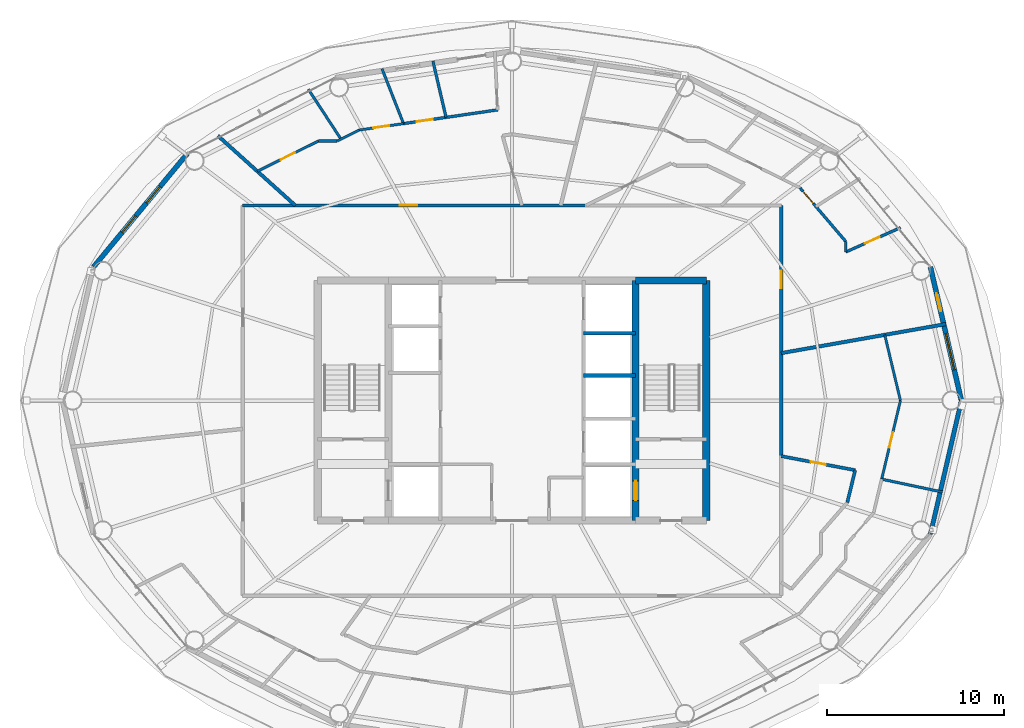
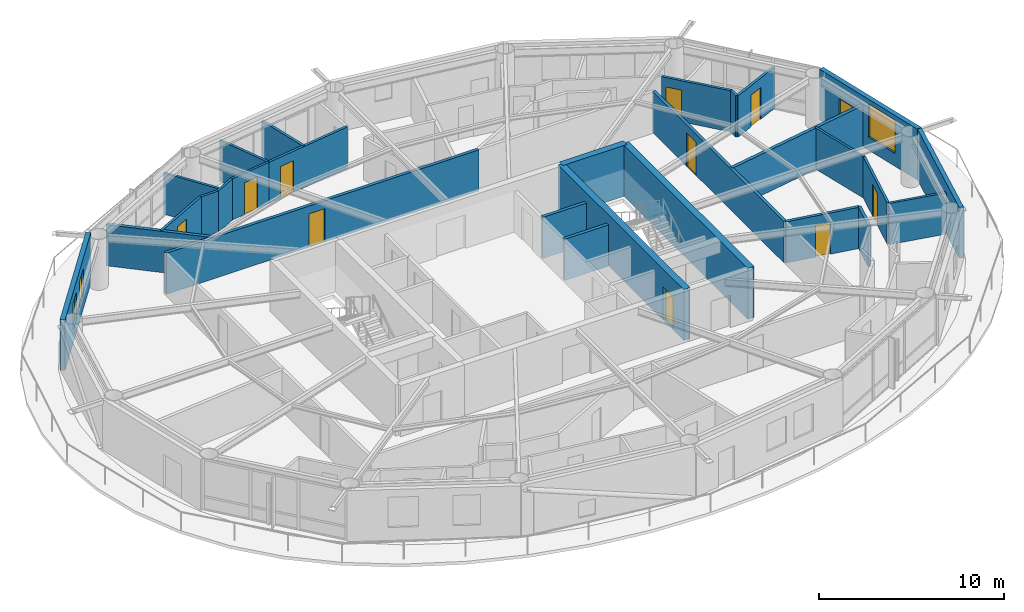
# One storey, part 18 of 23: 28 walls, 11 doors, 3 windows, 14 openings.
"""IFC4 building model written with IfcOpenShell, lengths in metres."""

from ifc_helpers import new_model, si_unit, direction, frame, frame_2d, origin, place, context, subcontext, project, spatial, rectangle, extrude, material, layer, layer_set, type_object, element, fill, save


model = new_model("IFC4")

# Units and contexts
model_context = context("Model", 3, precision=1e-05, world=origin(), true_north=direction((0.0, 1.0)))
body_context = subcontext(model_context, "Body", "Model", "MODEL_VIEW")
ifc_project = project(units=[si_unit("LENGTHUNIT", "METRE"), si_unit("AREAUNIT", "SQUARE_METRE"), si_unit("VOLUMEUNIT", "CUBIC_METRE"), si_unit("PLANEANGLEUNIT", "RADIAN"), si_unit("MASSUNIT", "GRAM", prefix="KILO")], contexts=[model_context])

# Site, building, storey
site_placement = place(None, origin())
site = spatial("IfcSite", under=ifc_project, at=site_placement, CompositionType="ELEMENT")
building_placement = place(site_placement, origin())
building = spatial("IfcBuilding", under=site, at=building_placement, Name="Sarneth Arch Tower", CompositionType="ELEMENT")
storey_placement = place(building_placement, frame((0.0, 0.0, 246.0)))
storey = spatial("IfcBuildingStorey", under=building, at=storey_placement, Name="L63", CompositionType="ELEMENT", Elevation=246.0)

# Walls
ifc_material_1 = material(Name="Concrete C50/60", Category="concrete")
ifc_layer_1 = layer(ifc_material_1, 0.39990234375)
ifc_layer_set_1 = layer_set([ifc_layer_1], Name="Concrete C50/60")
wall_type_1 = type_object("IfcWallType", Name="WALL-CORE-400", PredefinedType="SHEAR", material=ifc_layer_set_1)
wall_1_placement = place(storey_placement, frame((55.0, 48.800048828125, 0.0), z_axis=(0.0, 0.0, 1.0), x_axis=(1.0, 0.0, 0.0)))
element("IfcWall", 1, at=wall_1_placement, inside=storey, type_object=wall_type_1, Name="L63 Core shear wall N-E", PredefinedType="SHEAR", context=body_context, shape_type="SweptSolid", body=[
    extrude(rectangle(XDim=4.0, YDim=0.39990234375, at=frame_2d((2.0, 0.0))), origin(), (0.0, 0.0, 1.0), 3.360107421875),
])
wall_2_placement = place(storey_placement, frame((59.0, 35.199951171875, 0.0), z_axis=(0.0, 0.0, 1.0), x_axis=(0.0, 1.0, 0.0)))
element("IfcWall", 2, at=wall_2_placement, inside=storey, type_object=wall_type_1, Name="L63 Core shear wall E", PredefinedType="SHEAR", context=body_context, shape_type="SweptSolid", body=[
    extrude(rectangle(XDim=13.60009765625, YDim=0.39990234375, at=frame_2d((6.800048828125, 0.0))), origin(), (0.0, 0.0, 1.0), 3.360107421875),
])

# Wall, opening, door
wall_3_placement = place(storey_placement, frame((55.0, 35.199951171875, 0.0), z_axis=(0.0, 0.0, 1.0), x_axis=(0.0, 1.0, 0.0)))
wall_3 = element("IfcWall", 3, at=wall_3_placement, inside=storey, type_object=wall_type_1, Name="L63 Core shear wall WEB-E", PredefinedType="SHEAR", context=body_context, shape_type="SweptSolid", body=[
    extrude(rectangle(XDim=13.60009765625, YDim=0.39990234375, at=frame_2d((6.800048828125, 0.0))), origin(), (0.0, 0.0, 1.0), 3.360107421875),
])
opening_1_placement = place(wall_3_placement, frame((1.14990234375, 0.0, 0.0)))
opening_1 = element("IfcOpeningElement", 4, at=opening_1_placement, cuts=wall_3, Name="Opening LD-1", PredefinedType="OPENING", context=body_context, shape_type="SweptSolid", body=[
    extrude(rectangle(XDim=1.10009765625, YDim=2.199951171875, at=frame_2d((0.550048828125, 1.10009765625))), frame((0.0, 0.2099609375, 0.0), z_axis=(0.0, -1.0, 0.0), x_axis=(1.0, 0.0, 0.0)), (0.0, 0.0, 1.0), 0.419921875),
])
ifc_material_2 = material(Name="Brushed Stainless Steel 304 lift landing door", Category="steel")
door_type_1 = type_object("IfcDoorType", Name="DR-LIFT-SLIDE-1100", OperationType="SLIDING_TO_LEFT", PredefinedType="DOOR", material=ifc_material_2)
door_1_placement = place(opening_1_placement, origin())
door_1 = element("IfcDoor", 5, at=door_1_placement, inside=storey, type_object=door_type_1, Name="L63 Firefighting lift landing door FL-2", OperationType="SLIDING_TO_RIGHT", OverallHeight=2.199951171875, OverallWidth=1.10009765625, PredefinedType="DOOR", context=body_context, shape_type="SweptSolid", body=[
    extrude(rectangle(XDim=1.10009765625, YDim=2.199951171875, at=frame_2d((0.550048828125, 1.10009765625))), frame((0.0, 0.02490234375, 0.0), z_axis=(0.0, -1.0, 0.0), x_axis=(1.0, 0.0, 0.0)), (0.0, 0.0, 1.0), 0.050048828125),
])
fill(opening_1, door_1)

ifc_material_3 = material(Name="Double steel-stud corridor fire wall", Category="steel")
ifc_layer_2 = layer(ifc_material_3, 0.18994140625)
ifc_layer_set_2 = layer_set([ifc_layer_2], Name="Double steel-stud corridor fire wall")
wall_type_2 = type_object("IfcWallType", Name="WALL-CORR-190", PredefinedType="PARTITIONING", material=ifc_layer_set_2)
wall_4_placement = place(storey_placement, frame((32.75, 53.050048828125, 0.0), z_axis=(0.0, 0.0, 1.0), x_axis=(1.0, 0.0, 0.0)))
wall_4 = element("IfcWall", 6, at=wall_4_placement, inside=storey, type_object=wall_type_2, Name="L63 Interior partition W-L63-TP-005", PredefinedType="PARTITIONING", context=body_context, shape_type="SweptSolid", body=[
    extrude(rectangle(XDim=19.526611328125, YDim=0.18994140625, at=frame_2d((9.76318359375, 0.0))), origin(), (0.0, 0.0, 1.0), 2.719970703125),
])
opening_2_placement = place(wall_4_placement, frame((8.885986328125, 0.0, 0.0)))
opening_2 = element("IfcOpeningElement", 7, at=opening_2_placement, cuts=wall_4, Name="Opening FD-08", PredefinedType="OPENING", context=body_context, shape_type="SweptSolid", body=[
    extrude(rectangle(XDim=1.0, YDim=2.199951171875, at=frame_2d((0.5, 1.10009765625))), frame((0.0, 0.10498046875, 0.0), z_axis=(0.0, -1.0, 0.0), x_axis=(1.0, 0.0, 0.0)), (0.0, 0.0, 1.0), 0.2099609375),
])
ifc_material_4 = material(Name="Hardwood timber acoustic fire door", Category="wood")
door_type_2 = type_object("IfcDoorType", Name="DR-FD60-1000", OperationType="SINGLE_SWING_LEFT", PredefinedType="DOOR", material=ifc_material_4)
door_2_placement = place(opening_2_placement, origin())
door_2 = element("IfcDoor", 8, at=door_2_placement, inside=storey, type_object=door_type_2, Name="L63 Interior door DR-L63-U2-ENT", OperationType="SINGLE_SWING_LEFT", OverallHeight=2.199951171875, OverallWidth=1.0, PredefinedType="DOOR", context=body_context, shape_type="SweptSolid", body=[
    extrude(rectangle(XDim=1.0, YDim=2.199951171875, at=frame_2d((0.5, 1.10009765625))), frame((0.0, 0.02490234375, 0.0), z_axis=(0.0, -1.0, 0.0), x_axis=(1.0, 0.0, 0.0)), (0.0, 0.0, 1.0), 0.050048828125),
])
fill(opening_2, door_2)

wall_5_placement = place(storey_placement, frame((63.25, 53.050048828125, 0.0), z_axis=(0.0, 0.0, 1.0), x_axis=(0.0, -1.0, 0.0)))
wall_5 = element("IfcWall", 9, at=wall_5_placement, inside=storey, type_object=wall_type_2, Name="L63 Interior partition W-L63-TP-003", PredefinedType="PARTITIONING", context=body_context, shape_type="SweptSolid", body=[
    extrude(rectangle(XDim=14.230224609375, YDim=0.18994140625, at=frame_2d((7.115234375, 0.0))), origin(), (0.0, 0.0, 1.0), 2.719970703125),
])
opening_3_placement = place(wall_5_placement, frame((3.69677734375, 0.0, 0.0)))
opening_3 = element("IfcOpeningElement", 10, at=opening_3_placement, cuts=wall_5, Name="Opening FD-08", PredefinedType="OPENING", context=body_context, shape_type="SweptSolid", body=[
    extrude(rectangle(XDim=1.0, YDim=2.199951171875, at=frame_2d((0.5, 1.10009765625))), frame((0.0, 0.10498046875, 0.0), z_axis=(0.0, -1.0, 0.0), x_axis=(1.0, 0.0, 0.0)), (0.0, 0.0, 1.0), 0.2099609375),
])
door_3_placement = place(opening_3_placement, origin())
door_3 = element("IfcDoor", 11, at=door_3_placement, inside=storey, type_object=door_type_2, Name="L63 Interior door DR-L63-U1-ENT", OperationType="SINGLE_SWING_LEFT", OverallHeight=2.199951171875, OverallWidth=1.0, PredefinedType="DOOR", context=body_context, shape_type="SweptSolid", body=[
    extrude(rectangle(XDim=1.0, YDim=2.199951171875, at=frame_2d((0.5, 1.10009765625))), frame((0.0, 0.02490234375, 0.0), z_axis=(0.0, -1.0, 0.0), x_axis=(1.0, 0.0, 0.0)), (0.0, 0.0, 1.0), 0.050048828125),
])
fill(opening_3, door_3)

# Wall
ifc_material_5 = material(Name="Extruded terracotta rainscreen on Concrete C40/50 backing", Category="masonry")
ifc_layer_3 = layer(ifc_material_5, 0.25)
ifc_layer_set_3 = layer_set([ifc_layer_3], Name="Extruded terracotta rainscreen on Concrete C40/50 backing")
wall_type_3 = type_object("IfcWallType", Name="WALL-EXT-SPAND-250", PredefinedType="SOLIDWALL", material=ifc_layer_set_3)
wall_6_placement = place(storey_placement, frame((71.69384765625, 34.430419921875, 0.0), z_axis=(0.0, 0.0, 1.0), x_axis=(0.225635078214, 0.974211892495, 0.0)))
element("IfcWall", 12, at=wall_6_placement, inside=storey, type_object=wall_type_3, Name="L63 Terracotta perimeter wall 16", PredefinedType="SOLIDWALL", context=body_context, shape_type="SweptSolid", body=[
    extrude(rectangle(XDim=7.77001953125, YDim=0.25, at=frame_2d((3.885009765625, 0.0))), origin(), (0.0, 0.0, 1.0), 3.360107421875),
])

# Wall, openings, door, window
ifc_material_6 = material(Name="Extruded terracotta rainscreen on Concrete C40/50 backing", Category="masonry")
ifc_layer_4 = layer(ifc_material_6, 0.280029296875)
ifc_layer_set_4 = layer_set([ifc_layer_4], Name="Extruded terracotta rainscreen on Concrete C40/50 backing")
wall_type_4 = type_object("IfcWallType", Name="WALL-EXT-TERRA-280", PredefinedType="SOLIDWALL", material=ifc_layer_set_4)
wall_7_placement = place(storey_placement, frame((73.447021484375, 42.0, 0.0), z_axis=(0.0, 0.0, 1.0), x_axis=(-0.225635078214, 0.974211892495, 0.0)))
wall_7 = element("IfcWall", 13, at=wall_7_placement, inside=storey, type_object=wall_type_4, Name="L63 Terracotta perimeter wall 01", PredefinedType="SOLIDWALL", context=body_context, shape_type="SweptSolid", body=[
    extrude(rectangle(XDim=7.77001953125, YDim=0.280029296875, at=frame_2d((3.885009765625, 0.0))), origin(), (0.0, 0.0, 1.0), 3.360107421875),
])
opening_4_placement = place(wall_7_placement, frame((1.7978515625, 0.0, 0.85009765625)))
opening_4 = element("IfcOpeningElement", 14, at=opening_4_placement, cuts=wall_7, Name="Opening W-03", PredefinedType="OPENING", context=body_context, shape_type="SweptSolid", body=[
    extrude(rectangle(XDim=2.10009765625, YDim=2.199951171875, at=frame_2d((1.050048828125, 1.10009765625))), frame((0.0, 0.14990234375, 0.0), z_axis=(0.0, -1.0, 0.0), x_axis=(1.0, 0.0, 0.0)), (0.0, 0.0, 1.0), 0.300048828125),
])
opening_5_placement = place(wall_7_placement, frame((5.192138671875, 0.0, 0.0)))
opening_5 = element("IfcOpeningElement", 15, at=opening_5_placement, cuts=wall_7, Name="Opening BD-4", PredefinedType="OPENING", context=body_context, shape_type="SweptSolid", body=[
    extrude(rectangle(XDim=1.050048828125, YDim=2.199951171875, at=frame_2d((0.52490234375, 1.10009765625))), frame((0.0, 0.14990234375, 0.0), z_axis=(0.0, -1.0, 0.0), x_axis=(1.0, 0.0, 0.0)), (0.0, 0.0, 1.0), 0.300048828125),
])
ifc_material_7 = material(Name="Thermally broken Aluminium 6063-T6 and laminated safety glass", Category="aluminium")
door_type_3 = type_object("IfcDoorType", Name="DR-BALC-GLZ-1050", OperationType="SINGLE_SWING_RIGHT", PredefinedType="DOOR", material=ifc_material_7)
door_4_placement = place(opening_5_placement, origin())
door_4 = element("IfcDoor", 16, at=door_4_placement, inside=storey, type_object=door_type_3, Name="L63 Balcony glazed door 01", OperationType="SINGLE_SWING_RIGHT", OverallHeight=2.199951171875, OverallWidth=1.050048828125, PredefinedType="DOOR", context=body_context, shape_type="SweptSolid", body=[
    extrude(rectangle(XDim=1.050048828125, YDim=2.199951171875, at=frame_2d((0.52490234375, 1.10009765625))), frame((0.0, 0.02490234375, 0.0), z_axis=(0.0, -1.0, 0.0), x_axis=(1.0, 0.0, 0.0)), (0.0, 0.0, 1.0), 0.050048828125),
])
fill(opening_5, door_4)
ifc_material_8 = material(Name="Thermally broken Aluminium 6063-T6 and low-e laminated IGU", Category="aluminium")
window_type_1 = type_object("IfcWindowType", Name="WIN-TWR-2100x2200", PartitioningType="DOUBLE_PANEL_VERTICAL", PredefinedType="WINDOW", material=ifc_material_8)
window_1_placement = place(opening_4_placement, origin())
window_1 = element("IfcWindow", 17, at=window_1_placement, inside=storey, type_object=window_type_1, Name="L63 Exterior window 01A", OverallHeight=2.199951171875, OverallWidth=2.10009765625, PartitioningType="SINGLE_PANEL", PredefinedType="WINDOW", context=body_context, shape_type="SweptSolid", body=[
    extrude(rectangle(XDim=2.10009765625, YDim=2.199951171875, at=frame_2d((1.050048828125, 1.10009765625))), frame((0.0, 0.030029296875, 0.0), z_axis=(0.0, -1.0, 0.0), x_axis=(1.0, 0.0, 0.0)), (0.0, 0.0, 1.0), 0.06005859375),
])
fill(opening_4, window_1)

# Wall, openings, windows
wall_8_placement = place(storey_placement, frame((29.617431640625, 55.986572265625, 0.0), z_axis=(0.0, 0.0, 1.0), x_axis=(-0.63761509934, -0.770355103243, 0.0)))
wall_8 = element("IfcWall", 18, at=wall_8_placement, inside=storey, type_object=wall_type_4, Name="L63 Terracotta perimeter wall 07", PredefinedType="SOLIDWALL", context=body_context, shape_type="SweptSolid", body=[
    extrude(rectangle(XDim=8.329833984375, YDim=0.280029296875, at=frame_2d((4.1650390625, 0.0))), origin(), (0.0, 0.0, 1.0), 3.360107421875),
])
opening_6_placement = place(wall_8_placement, frame((2.42626953125, 0.0, 0.85009765625)))
opening_6 = element("IfcOpeningElement", 19, at=opening_6_placement, cuts=wall_8, Name="Opening W-09", PredefinedType="OPENING", context=body_context, shape_type="SweptSolid", body=[
    extrude(rectangle(XDim=1.199951171875, YDim=1.800048828125, at=frame_2d((0.60009765625, 0.89990234375))), frame((0.0, 0.14990234375, 0.0), z_axis=(0.0, -1.0, 0.0), x_axis=(1.0, 0.0, 0.0)), (0.0, 0.0, 1.0), 0.300048828125),
])
opening_7_placement = place(wall_8_placement, frame((4.59619140625, 0.0, 0.85009765625)))
opening_7 = element("IfcOpeningElement", 20, at=opening_7_placement, cuts=wall_8, Name="Opening W-09", PredefinedType="OPENING", context=body_context, shape_type="SweptSolid", body=[
    extrude(rectangle(XDim=1.199951171875, YDim=1.800048828125, at=frame_2d((0.60009765625, 0.89990234375))), frame((0.0, 0.14990234375, 0.0), z_axis=(0.0, -1.0, 0.0), x_axis=(1.0, 0.0, 0.0)), (0.0, 0.0, 1.0), 0.300048828125),
])
ifc_material_9 = material(Name="Thermally broken Aluminium 6063-T6 and low-e laminated IGU", Category="aluminium")
window_type_2 = type_object("IfcWindowType", Name="WIN-TWR-1200x1800", PartitioningType="SINGLE_PANEL", PredefinedType="WINDOW", material=ifc_material_9)
window_2_placement = place(opening_6_placement, origin())
window_2 = element("IfcWindow", 21, at=window_2_placement, inside=storey, type_object=window_type_2, Name="L63 Exterior window 07A", OverallHeight=1.800048828125, OverallWidth=1.199951171875, PartitioningType="SINGLE_PANEL", PredefinedType="WINDOW", context=body_context, shape_type="SweptSolid", body=[
    extrude(rectangle(XDim=1.199951171875, YDim=1.800048828125, at=frame_2d((0.60009765625, 0.89990234375))), frame((0.0, 0.030029296875, 0.0), z_axis=(0.0, -1.0, 0.0), x_axis=(1.0, 0.0, 0.0)), (0.0, 0.0, 1.0), 0.06005859375),
])
fill(opening_6, window_2)
window_3_placement = place(opening_7_placement, origin())
window_3 = element("IfcWindow", 22, at=window_3_placement, inside=storey, type_object=window_type_2, Name="L63 Exterior window 07B", OverallHeight=1.800048828125, OverallWidth=1.199951171875, PartitioningType="SINGLE_PANEL", PredefinedType="WINDOW", context=body_context, shape_type="SweptSolid", body=[
    extrude(rectangle(XDim=1.199951171875, YDim=1.800048828125, at=frame_2d((0.60009765625, 0.89990234375))), frame((0.0, 0.030029296875, 0.0), z_axis=(0.0, -1.0, 0.0), x_axis=(1.0, 0.0, 0.0)), (0.0, 0.0, 1.0), 0.06005859375),
])
fill(opening_7, window_3)

# Wall, opening, door
ifc_material_10 = material(Name="Apartment internal stud partition", Category="gypsum")
ifc_layer_5 = layer(ifc_material_10, 0.139892578125)
ifc_layer_set_5 = layer_set([ifc_layer_5], Name="Apartment internal stud partition")
wall_type_5 = type_object("IfcWallType", Name="WALL-PART-140", PredefinedType="PARTITIONING", material=ifc_layer_set_5)
wall_9_placement = place(storey_placement, frame((68.93359375, 37.55029296875, 0.0), z_axis=(0.0, 0.0, 1.0), x_axis=(0.232301055554, 0.972643932582, 0.0)))
wall_9 = element("IfcWall", 23, at=wall_9_placement, inside=storey, type_object=wall_type_5, Name="L63 Interior partition W-L63-TP-094", PredefinedType="PARTITIONING", context=body_context, shape_type="SweptSolid", body=[
    extrude(rectangle(XDim=4.574951171875, YDim=0.139892578125, at=frame_2d((2.28759765625, 0.0))), origin(), (0.0, 0.0, 1.0), 2.719970703125),
])
opening_8_placement = place(wall_9_placement, frame((1.83740234375, 0.0, 0.0)))
opening_8 = element("IfcOpeningElement", 24, at=opening_8_placement, cuts=wall_9, Name="Opening ID-01", PredefinedType="OPENING", context=body_context, shape_type="SweptSolid", body=[
    extrude(rectangle(XDim=0.89990234375, YDim=2.10009765625, at=frame_2d((0.449951171875, 1.050048828125))), frame((0.0, 0.079833984375, 0.0), z_axis=(0.0, -1.0, 0.0), x_axis=(1.0, 0.0, 0.0)), (0.0, 0.0, 1.0), 0.159912109375),
])
ifc_material_11 = material(Name="Engineered hardwood flush door", Category="wood")
door_type_4 = type_object("IfcDoorType", Name="DR-INT-900", OperationType="SINGLE_SWING_LEFT", PredefinedType="DOOR", material=ifc_material_11)
door_5_placement = place(opening_8_placement, origin())
door_5 = element("IfcDoor", 25, at=door_5_placement, inside=storey, type_object=door_type_4, Name="L63 Interior door DR-L63-U5-BED2", OperationType="SINGLE_SWING_RIGHT", OverallHeight=2.10009765625, OverallWidth=0.89990234375, PredefinedType="DOOR", context=body_context, shape_type="SweptSolid", body=[
    extrude(rectangle(XDim=0.89990234375, YDim=2.10009765625, at=frame_2d((0.449951171875, 1.050048828125))), frame((0.0, 0.02490234375, 0.0), z_axis=(0.0, -1.0, 0.0), x_axis=(1.0, 0.0, 0.0)), (0.0, 0.0, 1.0), 0.050048828125),
])
fill(opening_8, door_5)

# Wall
wall_10_placement = place(storey_placement, frame((69.996337890625, 42.0, 0.0), z_axis=(0.0, 0.0, 1.0), x_axis=(-0.232313421965, 0.972640978972, 0.0)))
element("IfcWall", 26, at=wall_10_placement, inside=storey, type_object=wall_type_5, Name="L63 Interior partition W-L63-TP-095", PredefinedType="PARTITIONING", context=body_context, shape_type="SweptSolid", body=[
    extrude(rectangle(XDim=3.826416015625, YDim=0.139892578125, at=frame_2d((1.9130859375, 0.0))), origin(), (0.0, 0.0, 1.0), 2.719970703125),
])

# Wall, opening, door
wall_11_placement = place(storey_placement, frame((41.855712890625, 57.68408203125, 0.0), z_axis=(0.0, 0.0, 1.0), x_axis=(-0.989527541126, -0.144344190576, 0.0)))
wall_11 = element("IfcWall", 27, at=wall_11_placement, inside=storey, type_object=wall_type_5, Name="L63 Interior partition W-L63-TP-048", PredefinedType="PARTITIONING", context=body_context, shape_type="SweptSolid", body=[
    extrude(rectangle(XDim=2.537109375, YDim=0.139892578125, at=frame_2d((1.2685546875, 0.0))), origin(), (0.0, 0.0, 1.0), 2.719970703125),
])
opening_9_placement = place(wall_11_placement, frame((0.818603515625, 0.0, 0.0)))
opening_9 = element("IfcOpeningElement", 28, at=opening_9_placement, cuts=wall_11, Name="Opening ID-01", PredefinedType="OPENING", context=body_context, shape_type="SweptSolid", body=[
    extrude(rectangle(XDim=0.89990234375, YDim=2.10009765625, at=frame_2d((0.449951171875, 1.050048828125))), frame((0.0, 0.079833984375, 0.0), z_axis=(0.0, -1.0, 0.0), x_axis=(1.0, 0.0, 0.0)), (0.0, 0.0, 1.0), 0.159912109375),
])
door_6_placement = place(opening_9_placement, origin())
door_6 = element("IfcDoor", 29, at=door_6_placement, inside=storey, type_object=door_type_4, Name="L63 Interior door DR-L63-U2-BED1", OperationType="SINGLE_SWING_RIGHT", OverallHeight=2.10009765625, OverallWidth=0.89990234375, PredefinedType="DOOR", context=body_context, shape_type="SweptSolid", body=[
    extrude(rectangle(XDim=0.89990234375, YDim=2.10009765625, at=frame_2d((0.449951171875, 1.050048828125))), frame((0.0, 0.02490234375, 0.0), z_axis=(0.0, -1.0, 0.0), x_axis=(1.0, 0.0, 0.0)), (0.0, 0.0, 1.0), 0.050048828125),
])
fill(opening_9, door_6)

# Wall
wall_12_placement = place(storey_placement, frame((39.34521484375, 57.31787109375, 0.0), z_axis=(0.0, 0.0, 1.0), x_axis=(-0.895584310315, -0.444891833053, 0.0)))
element("IfcWall", 30, at=wall_12_placement, inside=storey, type_object=wall_type_5, Name="L63 Interior partition W-L63-TP-049", PredefinedType="PARTITIONING", context=body_context, shape_type="SweptSolid", body=[
    extrude(rectangle(XDim=1.388916015625, YDim=0.139892578125, at=frame_2d((0.6943359375, 0.0))), origin(), (0.0, 0.0, 1.0), 2.719970703125),
])

# Wall, opening, door
ifc_material_12 = material(Name="Acoustic gypsum stud partition", Category="gypsum")
ifc_layer_6 = layer(ifc_material_12, 0.14990234375)
ifc_layer_set_6 = layer_set([ifc_layer_6], Name="Acoustic gypsum stud partition")
wall_type_6 = type_object("IfcWallType", Name="WALL-PART-150", PredefinedType="PARTITIONING", material=ifc_layer_set_6)
wall_13_placement = place(storey_placement, frame((33.581298828125, 54.982666015625, 0.0), z_axis=(0.0, 0.0, 1.0), x_axis=(0.895475171501, 0.445111466069, 0.0)))
wall_13 = element("IfcWall", 31, at=wall_13_placement, inside=storey, type_object=wall_type_6, Name="L63 Interior partition W-L63-TP-050", PredefinedType="PARTITIONING", context=body_context, shape_type="SweptSolid", body=[
    extrude(rectangle(XDim=3.858154296875, YDim=0.14990234375, at=frame_2d((1.92919921875, 0.0))), origin(), (0.0, 0.0, 1.0), 2.719970703125),
])
opening_10_placement = place(wall_13_placement, frame((1.47900390625, 0.0, 0.0)))
opening_10 = element("IfcOpeningElement", 32, at=opening_10_placement, cuts=wall_13, Name="Opening ID-01", PredefinedType="OPENING", context=body_context, shape_type="SweptSolid", body=[
    extrude(rectangle(XDim=0.89990234375, YDim=2.10009765625, at=frame_2d((0.449951171875, 1.050048828125))), frame((0.0, 0.0849609375, 0.0), z_axis=(0.0, -1.0, 0.0), x_axis=(1.0, 0.0, 0.0)), (0.0, 0.0, 1.0), 0.169921875),
])
door_7_placement = place(opening_10_placement, origin())
door_7 = element("IfcDoor", 33, at=door_7_placement, inside=storey, type_object=door_type_4, Name="L63 Interior door DR-L63-U2-BED2", OperationType="SINGLE_SWING_RIGHT", OverallHeight=2.10009765625, OverallWidth=0.89990234375, PredefinedType="DOOR", context=body_context, shape_type="SweptSolid", body=[
    extrude(rectangle(XDim=0.89990234375, YDim=2.10009765625, at=frame_2d((0.449951171875, 1.050048828125))), frame((0.0, 0.02490234375, 0.0), z_axis=(0.0, -1.0, 0.0), x_axis=(1.0, 0.0, 0.0)), (0.0, 0.0, 1.0), 0.050048828125),
])
fill(opening_10, door_7)

# Walls
wall_14_placement = place(storey_placement, frame((72.370361328125, 36.820068359375, 0.0), z_axis=(0.0, 0.0, 1.0), x_axis=(-0.978163972004, 0.20783465513, 0.0)))
element("IfcWall", 34, at=wall_14_placement, inside=storey, type_object=wall_type_6, Name="L63 Interior partition W-L63-TP-097", PredefinedType="PARTITIONING", context=body_context, shape_type="SweptSolid", body=[
    extrude(rectangle(XDim=3.513427734375, YDim=0.14990234375, at=frame_2d((1.7568359375, 0.0))), origin(), (0.0, 0.0, 1.0), 2.719970703125),
])
wall_15_placement = place(storey_placement, frame((38.314697265625, 56.80615234375, 0.0), z_axis=(0.0, 0.0, 1.0), x_axis=(-0.547432597428, 0.8368497782, 0.0)))
element("IfcWall", 35, at=wall_15_placement, inside=storey, type_object=wall_type_6, Name="L63 Interior partition W-L63-TP-056", PredefinedType="PARTITIONING", context=body_context, shape_type="SweptSolid", body=[
    extrude(rectangle(XDim=3.374267578125, YDim=0.14990234375, at=frame_2d((1.68701171875, 0.0))), origin(), (0.0, 0.0, 1.0), 2.719970703125),
])
wall_16_placement = place(storey_placement, frame((40.638427734375, 60.791259765625, 0.0), z_axis=(0.0, 0.0, 1.0), x_axis=(0.364771711706, -0.931096986538, 0.0)))
element("IfcWall", 36, at=wall_16_placement, inside=storey, type_object=wall_type_6, Name="L63 Interior partition W-L63-TP-055", PredefinedType="PARTITIONING", context=body_context, shape_type="SweptSolid", body=[
    extrude(rectangle(XDim=3.337158203125, YDim=0.14990234375, at=frame_2d((1.66845703125, 0.0))), origin(), (0.0, 0.0, 1.0), 2.719970703125),
])
wall_17_placement = place(storey_placement, frame((37.0361328125, 56.699951171875, 0.0), z_axis=(0.0, 0.0, 1.0), x_axis=(1.0, 0.0, 0.0)))
element("IfcWall", 37, at=wall_17_placement, inside=storey, type_object=wall_type_6, Name="L63 Interior partition W-L63-TP-051", PredefinedType="PARTITIONING", context=body_context, shape_type="SweptSolid", body=[
    extrude(rectangle(XDim=1.065185546875, YDim=0.14990234375, at=frame_2d((0.53271484375, 0.0))), origin(), (0.0, 0.0, 1.0), 2.719970703125),
])

# Wall, opening, door
ifc_material_13 = material(Name="Kitchen wet service chase wall", Category="gypsum")
ifc_layer_7 = layer(ifc_material_13, 0.159912109375)
ifc_layer_set_7 = layer_set([ifc_layer_7], Name="Kitchen wet service chase wall")
wall_type_7 = type_object("IfcWallType", Name="WALL-PLUMB-160", PredefinedType="PLUMBINGWALL", material=ifc_layer_set_7)
wall_18_placement = place(storey_placement, frame((66.89990234375, 50.412353515625, 0.0), z_axis=(0.0, 0.0, 1.0), x_axis=(0.91359503784, 0.406625265858, 0.0)))
wall_18 = element("IfcWall", 38, at=wall_18_placement, inside=storey, type_object=wall_type_7, Name="L63 Interior partition W-L63-TP-021", PredefinedType="PLUMBINGWALL", context=body_context, shape_type="SweptSolid", body=[
    extrude(rectangle(XDim=3.396484375, YDim=0.159912109375, at=frame_2d((1.6982421875, 0.0))), origin(), (0.0, 0.0, 1.0), 2.719970703125),
])
opening_11_placement = place(wall_18_placement, frame((1.188232421875, 0.0, 0.0)))
opening_11 = element("IfcOpeningElement", 39, at=opening_11_placement, cuts=wall_18, Name="Opening ID-01", PredefinedType="OPENING", context=body_context, shape_type="SweptSolid", body=[
    extrude(rectangle(XDim=0.89990234375, YDim=2.10009765625, at=frame_2d((0.449951171875, 1.050048828125))), frame((0.0, 0.08984375, 0.0), z_axis=(0.0, -1.0, 0.0), x_axis=(1.0, 0.0, 0.0)), (0.0, 0.0, 1.0), 0.179931640625),
])
door_8_placement = place(opening_11_placement, origin())
door_8 = element("IfcDoor", 40, at=door_8_placement, inside=storey, type_object=door_type_4, Name="L63 Interior door DR-L63-U1-KIT", OperationType="SINGLE_SWING_LEFT", OverallHeight=2.10009765625, OverallWidth=0.89990234375, PredefinedType="DOOR", context=body_context, shape_type="SweptSolid", body=[
    extrude(rectangle(XDim=0.89990234375, YDim=2.10009765625, at=frame_2d((0.449951171875, 1.050048828125))), frame((0.0, 0.02490234375, 0.0), z_axis=(0.0, -1.0, 0.0), x_axis=(1.0, 0.0, 0.0)), (0.0, 0.0, 1.0), 0.050048828125),
])
fill(opening_11, door_8)

# Wall
wall_19_placement = place(storey_placement, frame((44.265625, 58.035400390625, 0.0), z_axis=(0.0, 0.0, 1.0), x_axis=(-0.226801060662, 0.973941106475, 0.0)))
element("IfcWall", 41, at=wall_19_placement, inside=storey, type_object=wall_type_7, Name="L63 Interior partition W-L63-TP-054", PredefinedType="PLUMBINGWALL", context=body_context, shape_type="SweptSolid", body=[
    extrude(rectangle(XDim=3.27783203125, YDim=0.159912109375, at=frame_2d((1.638916015625, 0.0))), origin(), (0.0, 0.0, 1.0), 2.719970703125),
])

# Wall, opening, door
wall_20_placement = place(storey_placement, frame((47.189697265625, 58.4619140625, 0.0), z_axis=(0.0, 0.0, 1.0), x_axis=(-0.989536596718, -0.144282097834, 0.0)))
wall_20 = element("IfcWall", 42, at=wall_20_placement, inside=storey, type_object=wall_type_7, Name="L63 Interior partition W-L63-TP-044", PredefinedType="PLUMBINGWALL", context=body_context, shape_type="SweptSolid", body=[
    extrude(rectangle(XDim=5.423095703125, YDim=0.159912109375, at=frame_2d((2.71142578125, 0.0))), origin(), (0.0, 0.0, 1.0), 2.719970703125),
])
opening_12_placement = place(wall_20_placement, frame((3.722900390625, 0.0, 0.0)))
opening_12 = element("IfcOpeningElement", 43, at=opening_12_placement, cuts=wall_20, Name="Opening ID-01", PredefinedType="OPENING", context=body_context, shape_type="SweptSolid", body=[
    extrude(rectangle(XDim=0.89990234375, YDim=2.10009765625, at=frame_2d((0.449951171875, 1.050048828125))), frame((0.0, 0.08984375, 0.0), z_axis=(0.0, -1.0, 0.0), x_axis=(1.0, 0.0, 0.0)), (0.0, 0.0, 1.0), 0.179931640625),
])
door_9_placement = place(opening_12_placement, origin())
door_9 = element("IfcDoor", 44, at=door_9_placement, inside=storey, type_object=door_type_4, Name="L63 Interior door DR-L63-U2-STD", OperationType="SINGLE_SWING_RIGHT", OverallHeight=2.10009765625, OverallWidth=0.89990234375, PredefinedType="DOOR", context=body_context, shape_type="SweptSolid", body=[
    extrude(rectangle(XDim=0.89990234375, YDim=2.10009765625, at=frame_2d((0.449951171875, 1.050048828125))), frame((0.0, 0.02490234375, 0.0), z_axis=(0.0, -1.0, 0.0), x_axis=(1.0, 0.0, 0.0)), (0.0, 0.0, 1.0), 0.050048828125),
])
fill(opening_12, door_9)

wall_21_placement = place(storey_placement, frame((64.31103515625, 54.0419921875, 0.0), z_axis=(0.0, 0.0, 1.0), x_axis=(0.648985159088, -0.760801066826, 0.0)))
wall_21 = element("IfcWall", 45, at=wall_21_placement, inside=storey, type_object=wall_type_7, Name="L63 Interior partition W-L63-TP-019", PredefinedType="PLUMBINGWALL", context=body_context, shape_type="SweptSolid", body=[
    extrude(rectangle(XDim=3.989013671875, YDim=0.159912109375, at=frame_2d((1.99462890625, 0.0))), origin(), (0.0, 0.0, 1.0), 2.719970703125),
])
opening_13_placement = place(wall_21_placement, frame((0.2587890625, 0.0, 0.0)))
opening_13 = element("IfcOpeningElement", 46, at=opening_13_placement, cuts=wall_21, Name="Opening ID-01", PredefinedType="OPENING", context=body_context, shape_type="SweptSolid", body=[
    extrude(rectangle(XDim=0.89990234375, YDim=2.10009765625, at=frame_2d((0.449951171875, 1.050048828125))), frame((0.0, 0.08984375, 0.0), z_axis=(0.0, -1.0, 0.0), x_axis=(1.0, 0.0, 0.0)), (0.0, 0.0, 1.0), 0.179931640625),
])
door_10_placement = place(opening_13_placement, origin())
door_10 = element("IfcDoor", 47, at=door_10_placement, inside=storey, type_object=door_type_4, Name="L63 Interior door DR-L63-U1-STD", OperationType="SINGLE_SWING_LEFT", OverallHeight=2.10009765625, OverallWidth=0.89990234375, PredefinedType="DOOR", context=body_context, shape_type="SweptSolid", body=[
    extrude(rectangle(XDim=0.89990234375, YDim=2.10009765625, at=frame_2d((0.449951171875, 1.050048828125))), frame((0.0, 0.02490234375, 0.0), z_axis=(0.0, -1.0, 0.0), x_axis=(1.0, 0.0, 0.0)), (0.0, 0.0, 1.0), 0.050048828125),
])
fill(opening_13, door_10)

# Wall
wall_22_placement = place(storey_placement, frame((66.89990234375, 51.007080078125, 0.0), z_axis=(0.0, 0.0, 1.0), x_axis=(0.0, -1.0, 0.0)))
element("IfcWall", 48, at=wall_22_placement, inside=storey, type_object=wall_type_7, Name="L63 Interior partition W-L63-TP-020", PredefinedType="PLUMBINGWALL", context=body_context, shape_type="SweptSolid", body=[
    extrude(rectangle(XDim=0.5947265625, YDim=0.159912109375, at=frame_2d((0.29736328125, 0.0))), origin(), (0.0, 0.0, 1.0), 2.719970703125),
])

# Wall, opening, door
ifc_material_14 = material(Name="Moisture-resistant plumbing chase wall", Category="gypsum")
ifc_layer_8 = layer(ifc_material_14, 0.179931640625)
ifc_layer_set_8 = layer_set([ifc_layer_8], Name="Moisture-resistant plumbing chase wall")
wall_type_8 = type_object("IfcWallType", Name="WALL-PLUMB-180", PredefinedType="PLUMBINGWALL", material=ifc_layer_set_8)
wall_23_placement = place(storey_placement, frame((63.25, 38.852294921875, 0.0), z_axis=(0.0, 0.0, 1.0), x_axis=(0.982414775925, -0.186711563764, 0.0)))
wall_23 = element("IfcWall", 49, at=wall_23_placement, inside=storey, type_object=wall_type_8, Name="L63 Interior partition W-L63-TP-084", PredefinedType="PLUMBINGWALL", context=body_context, shape_type="SweptSolid", body=[
    extrude(rectangle(XDim=4.257568359375, YDim=0.179931640625, at=frame_2d((2.12890625, 0.0))), origin(), (0.0, 0.0, 1.0), 2.719970703125),
])
opening_14_placement = place(wall_23_placement, frame((1.703857421875, 0.0, 0.0)))
opening_14 = element("IfcOpeningElement", 50, at=opening_14_placement, cuts=wall_23, Name="Opening ID-02", PredefinedType="OPENING", context=body_context, shape_type="SweptSolid", body=[
    extrude(rectangle(XDim=0.85009765625, YDim=2.10009765625, at=frame_2d((0.425048828125, 1.050048828125))), frame((0.0, 0.099853515625, 0.0), z_axis=(0.0, -1.0, 0.0), x_axis=(1.0, 0.0, 0.0)), (0.0, 0.0, 1.0), 0.199951171875),
])
ifc_material_15 = material(Name="Moisture-resistant bathroom timber door", Category="wood")
door_type_5 = type_object("IfcDoorType", Name="DR-INT-850", OperationType="SINGLE_SWING_RIGHT", PredefinedType="DOOR", material=ifc_material_15)
door_11_placement = place(opening_14_placement, origin())
door_11 = element("IfcDoor", 51, at=door_11_placement, inside=storey, type_object=door_type_5, Name="L63 Interior door DR-L63-U5-BATH", OperationType="SINGLE_SWING_RIGHT", OverallHeight=2.10009765625, OverallWidth=0.85009765625, PredefinedType="DOOR", context=body_context, shape_type="SweptSolid", body=[
    extrude(rectangle(XDim=0.85009765625, YDim=2.10009765625, at=frame_2d((0.425048828125, 1.050048828125))), frame((0.0, 0.02490234375, 0.0), z_axis=(0.0, -1.0, 0.0), x_axis=(1.0, 0.0, 0.0)), (0.0, 0.0, 1.0), 0.050048828125),
])
fill(opening_14, door_11)

# Walls
wall_24_placement = place(storey_placement, frame((67.4326171875, 38.057373046875, 0.0), z_axis=(0.0, 0.0, 1.0), x_axis=(-0.236517106823, -0.971627324739, 0.0)))
element("IfcWall", 52, at=wall_24_placement, inside=storey, type_object=wall_type_8, Name="L63 Interior partition W-L63-TP-085", PredefinedType="PLUMBINGWALL", context=body_context, shape_type="SweptSolid", body=[
    extrude(rectangle(XDim=1.8818359375, YDim=0.179931640625, at=frame_2d((0.94091796875, 0.0))), origin(), (0.0, 0.0, 1.0), 2.719970703125),
])
ifc_material_16 = material(Name="Aerated concrete blockwork C25/30", Category="masonry")
ifc_layer_9 = layer(ifc_material_16, 0.199951171875)
ifc_layer_set_9 = layer_set([ifc_layer_9], Name="Aerated concrete blockwork C25/30")
wall_type_9 = type_object("IfcWallType", Name="WALL-SHAFT-200", PredefinedType="SOLIDWALL", material=ifc_layer_set_9)
for number, where, z_axis, x_axis, name in (
    (53, (52.050048828125, 43.419921875, 0.0), (0.0, 0.0, 1.0), (1.0, 0.0, 0.0), "L63 Interior partition W-L63-EB-DIV-4342"),
    (54, (52.050048828125, 45.800048828125, 0.0), (0.0, 0.0, 1.0), (1.0, 0.0, 0.0), "L63 Interior partition W-L63-EB-DIV-4580"),
):
    element("IfcWall", number, at=place(storey_placement, frame(where, z_axis=z_axis, x_axis=x_axis)), inside=storey, type_object=wall_type_9, Name=name, PredefinedType="SOLIDWALL", context=body_context, shape_type="SweptSolid", body=[
        extrude(rectangle(XDim=2.949951171875, YDim=0.199951171875, at=frame_2d((1.47509765625, 0.0))), origin(), (0.0, 0.0, 1.0), 2.719970703125),
    ])
ifc_material_17 = material(Name="Double steel-stud acoustic drywall", Category="steel")
ifc_layer_10 = layer(ifc_material_17, 0.199951171875)
ifc_layer_set_10 = layer_set([ifc_layer_10], Name="Double steel-stud acoustic drywall")
wall_type_10 = type_object("IfcWallType", Name="WALL-UNIT-200", PredefinedType="PARTITIONING", material=ifc_layer_set_10)
wall_25_placement = place(storey_placement, frame((63.25, 44.68896484375, 0.0), z_axis=(0.0, 0.0, 1.0), x_axis=(0.984806931753, 0.173652835192, 0.0)))
element("IfcWall", 55, at=wall_25_placement, inside=storey, type_object=wall_type_10, Name="L63 Interior partition W-L63-TP-035", PredefinedType="PARTITIONING", context=body_context, shape_type="SweptSolid", body=[
    extrude(rectangle(XDim=9.46044921875, YDim=0.199951171875, at=frame_2d((4.730224609375, 0.0))), origin(), (0.0, 0.0, 1.0), 2.719970703125),
])
wall_26_placement = place(storey_placement, frame((31.343994140625, 56.9970703125, 0.0), z_axis=(0.0, 0.0, 1.0), x_axis=(0.743158305959, -0.669115634464, 0.0)))
element("IfcWall", 56, at=wall_26_placement, inside=storey, type_object=wall_type_10, Name="L63 Interior partition W-L63-TP-057", PredefinedType="PARTITIONING", context=body_context, shape_type="SweptSolid", body=[
    extrude(rectangle(XDim=5.89892578125, YDim=0.199951171875, at=frame_2d((2.949462890625, 0.0))), origin(), (0.0, 0.0, 1.0), 2.719970703125),
])

save(model, "model.ifc")
